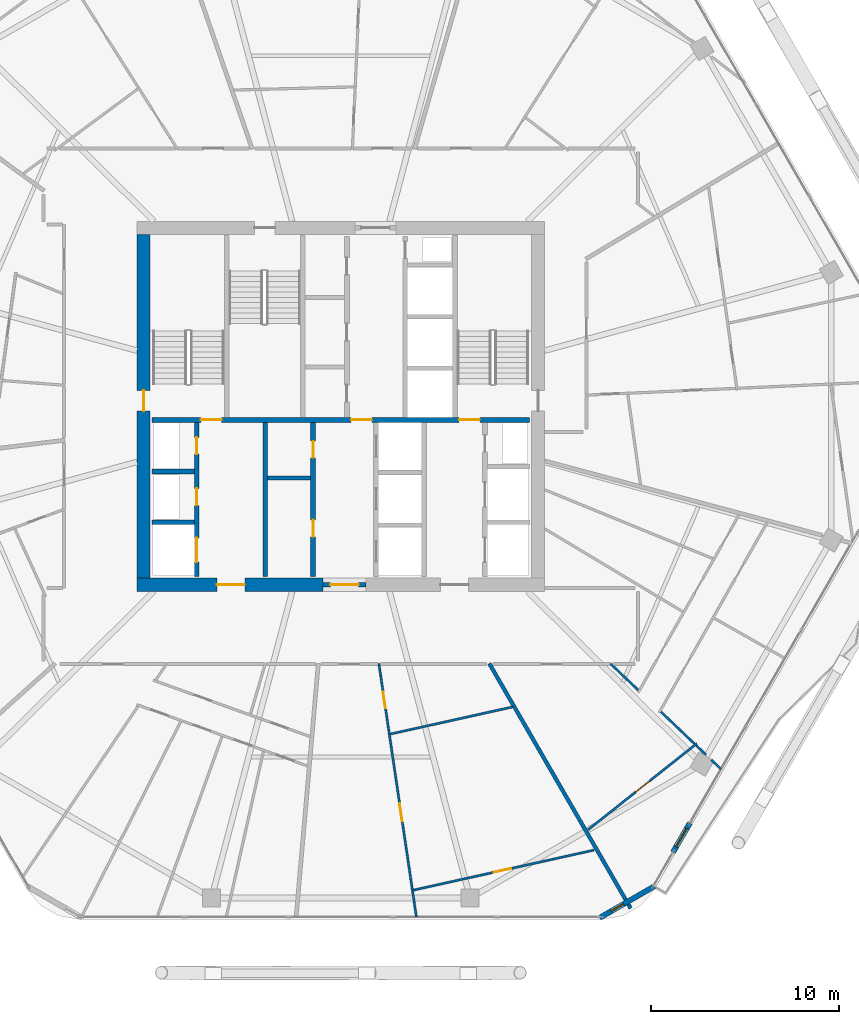
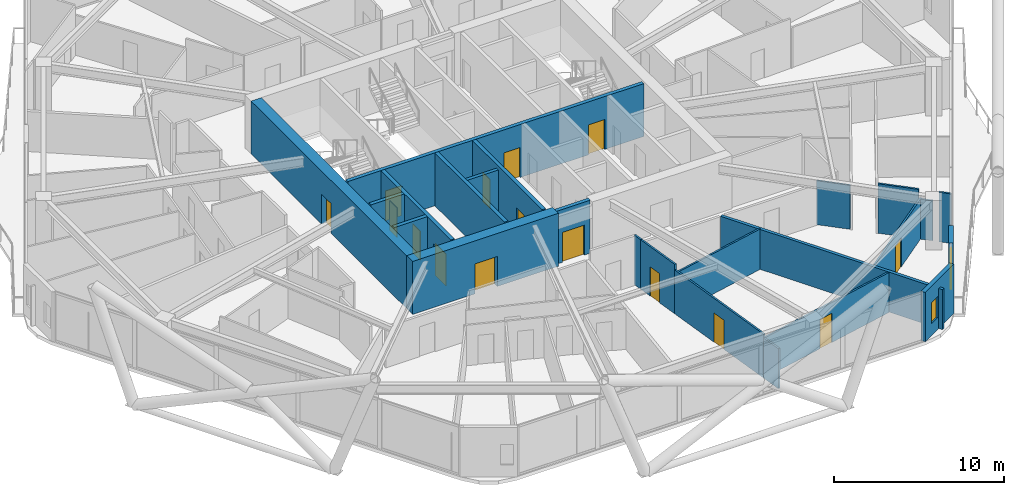
# One storey, part 21 of 28: 24 walls, 16 doors, 1 window, 17 openings.
"""IFC4 building model written with IfcOpenShell, lengths in metres."""

from ifc_helpers import new_model, si_unit, direction, frame, frame_2d, origin, place, context, subcontext, project, spatial, rectangle, extrude, material, layer, layer_set, type_object, element, fill, save


model = new_model("IFC4")

# Units and contexts
model_context = context("Model", 3, precision=1e-05, world=origin(), true_north=direction((0.0, 1.0)))
body_context = subcontext(model_context, "Body", "Model", "MODEL_VIEW")
ifc_project = project(units=[si_unit("LENGTHUNIT", "METRE"), si_unit("AREAUNIT", "SQUARE_METRE"), si_unit("VOLUMEUNIT", "CUBIC_METRE"), si_unit("PLANEANGLEUNIT", "RADIAN"), si_unit("MASSUNIT", "GRAM", prefix="KILO")], contexts=[model_context])

# Site, building, storey
site_placement = place(None, origin())
site = spatial("IfcSite", under=ifc_project, at=site_placement, CompositionType="ELEMENT")
building_placement = place(site_placement, origin())
building = spatial("IfcBuilding", under=site, at=building_placement, Name="Zuhravey Tower", CompositionType="ELEMENT")
storey_placement = place(building_placement, frame((0.0, 0.0, 199.800048828125)))
storey = spatial("IfcBuildingStorey", under=building, at=storey_placement, Name="L50", CompositionType="ELEMENT", Elevation=199.800048828125)

# Wall, opening, door
ifc_material_1 = material(Name="Concrete C60/75", Category="concrete")
ifc_layer_1 = layer(ifc_material_1, 0.699951171875)
ifc_layer_set_1 = layer_set([ifc_layer_1], Name="Concrete C60/75")
wall_type_1 = type_object("IfcWallType", Name="Core Shear Wall 700", PredefinedType="SHEAR", material=ifc_layer_set_1)
wall_1_placement = place(storey_placement, frame((25.14990234375, 22.5, 0.0), z_axis=(0.0, 0.0, 1.0), x_axis=(1.0, 0.0, 0.0)))
wall_1 = element("IfcWall", 1, at=wall_1_placement, inside=storey, type_object=wall_type_1, Name="L50 South-West Core Shear Wall CW70", PredefinedType="SHEAR", context=body_context, shape_type="SweptSolid", body=[
    extrude(rectangle(XDim=9.900146484375, YDim=0.699951171875, at=frame_2d((4.9501953125, 0.0))), origin(), (0.0, 0.0, 1.0), 3.800048828125),
])
opening_1_placement = place(wall_1_placement, frame((4.25, 0.0, 0.0)))
opening_1 = element("IfcOpeningElement", 2, at=opening_1_placement, cuts=wall_1, Name="Opening FFD1", PredefinedType="OPENING", context=body_context, shape_type="SweptSolid", body=[
    extrude(rectangle(XDim=1.5, YDim=2.14990234375, at=frame_2d((0.75, 1.074951171875))), frame((0.0, 0.362060546875, 0.0), z_axis=(0.0, -1.0, 0.0), x_axis=(1.0, 0.0, 0.0)), (0.0, 0.0, 1.0), 0.723876953125),
])
ifc_material_2 = material(Name="Galvanised fire-rated steel leaf", Category="steel")
door_type_1 = type_object("IfcDoorType", Name="Firefighting Lobby Double Door 1500x2150", OperationType="DOUBLE_DOOR_SINGLE_SWING", PredefinedType="DOOR", material=ifc_material_2)
door_1_placement = place(opening_1_placement, origin())
door_1 = element("IfcDoor", 3, at=door_1_placement, inside=storey, type_object=door_type_1, Name="L50 Firefighting Lobby West Door", OperationType="DOUBLE_DOOR_SINGLE_SWING", OverallHeight=2.14990234375, OverallWidth=1.5, PredefinedType="DOOR", context=body_context, shape_type="SweptSolid", body=[
    extrude(rectangle(XDim=1.5, YDim=2.14990234375, at=frame_2d((0.75, 1.074951171875))), frame((0.0, 0.02490234375, 0.0), z_axis=(0.0, -1.0, 0.0), x_axis=(1.0, 0.0, 0.0)), (0.0, 0.0, 1.0), 0.050048828125),
])
fill(opening_1, door_1)

wall_2_placement = place(storey_placement, frame((25.5, 22.85009765625, 0.0), z_axis=(0.0, 0.0, 1.0), x_axis=(0.0, 1.0, 0.0)))
wall_2 = element("IfcWall", 4, at=wall_2_placement, inside=storey, type_object=wall_type_1, Name="L50 West Core Shear Wall CW70", PredefinedType="SHEAR", context=body_context, shape_type="SweptSolid", body=[
    extrude(rectangle(XDim=18.2998046875, YDim=0.699951171875, at=frame_2d((9.14990234375, 0.0))), origin(), (0.0, 0.0, 1.0), 3.800048828125),
])
opening_2_placement = place(wall_2_placement, frame((8.89990234375, 0.0, 0.0)))
opening_2 = element("IfcOpeningElement", 5, at=opening_2_placement, cuts=wall_2, Name="Opening STD1", PredefinedType="OPENING", context=body_context, shape_type="SweptSolid", body=[
    extrude(rectangle(XDim=1.10009765625, YDim=2.14990234375, at=frame_2d((0.550048828125, 1.074951171875))), frame((0.0, 0.362060546875, 0.0), z_axis=(0.0, -1.0, 0.0), x_axis=(1.0, 0.0, 0.0)), (0.0, 0.0, 1.0), 0.723876953125),
])
door_type_2 = type_object("IfcDoorType", Name="Protected Stair Fire Door 1100x2150", OperationType="NOTDEFINED", PredefinedType="USERDEFINED", material=ifc_material_2)
door_2_placement = place(opening_2_placement, frame((1.10009765625, 0.0, 0.0), z_axis=(0.0, 0.0, 1.0), x_axis=(-1.0, 0.0, 0.0)))
door_2 = element("IfcDoor", 6, at=door_2_placement, inside=storey, type_object=door_type_2, Name="L50 Stair ST1 Door", ObjectType="EXITDOOR", OperationType="SINGLE_SWING_LEFT", OverallHeight=2.14990234375, OverallWidth=1.10009765625, PredefinedType="USERDEFINED", context=body_context, shape_type="SweptSolid", body=[
    extrude(rectangle(XDim=1.10009765625, YDim=2.14990234375, at=frame_2d((0.550048828125, 1.074951171875))), frame((0.0, 0.02490234375, 0.0), z_axis=(0.0, -1.0, 0.0), x_axis=(1.0, 0.0, 0.0)), (0.0, 0.0, 1.0), 0.050048828125),
])
fill(opening_2, door_2)

ifc_material_3 = material(Name="Precast concrete C40/50", Category="concrete")
ifc_layer_2 = layer(ifc_material_3, 0.280029296875)
ifc_layer_set_2 = layer_set([ifc_layer_2], Name="Precast concrete C40/50")
wall_type_2 = type_object("IfcWallType", Name="Crown Architectural Wall 280", PredefinedType="SOLIDWALL", material=ifc_layer_set_2)
wall_3_placement = place(storey_placement, frame((54.580810546875, 9.81689453125, 0.0), z_axis=(0.0, 0.0, 1.0), x_axis=(-0.499982180423, -0.866035691677, 0.0)))
wall_3 = element("IfcWall", 7, at=wall_3_placement, inside=storey, type_object=wall_type_2, Name="L50 Face 6 Facade Pier EW28-1", PredefinedType="SOLIDWALL", context=body_context, shape_type="SweptSolid", body=[
    extrude(rectangle(XDim=1.7900390625, YDim=0.280029296875, at=frame_2d((0.89501953125, 0.0))), origin(), (0.0, 0.0, 1.0), 3.550048828125),
])
opening_3_placement = place(wall_3_placement, frame((0.344970703125, 0.0, 0.0)))
opening_3 = element("IfcOpeningElement", 8, at=opening_3_placement, cuts=wall_3, Name="Opening BLD1", PredefinedType="OPENING", context=body_context, shape_type="SweptSolid", body=[
    extrude(rectangle(XDim=1.10009765625, YDim=2.199951171875, at=frame_2d((0.550048828125, 1.10009765625))), frame((0.0, 0.152099609375, 0.0), z_axis=(0.0, -1.0, 0.0), x_axis=(1.0, 0.0, 0.0)), (0.0, 0.0, 1.0), 0.303955078125),
])
ifc_material_4 = material(Name="Thermally broken aluminium and low-E glass", Category="aluminium")
door_type_3 = type_object("IfcDoorType", Name="Balcony & Sky-Tray Glazed Door 1100x2200", OperationType="NOTDEFINED", PredefinedType="DOOR", material=ifc_material_4)
door_3_placement = place(opening_3_placement, frame((1.10009765625, 0.0, 0.0), z_axis=(0.0, 0.0, 1.0), x_axis=(-1.0, 0.0, 0.0)))
door_3 = element("IfcDoor", 9, at=door_3_placement, inside=storey, type_object=door_type_3, Name="L50 Face 6 Wave Balcony Door", OperationType="SINGLE_SWING_LEFT", OverallHeight=2.199951171875, OverallWidth=1.10009765625, PredefinedType="DOOR", context=body_context, shape_type="SweptSolid", body=[
    extrude(rectangle(XDim=1.10009765625, YDim=2.199951171875, at=frame_2d((0.550048828125, 1.10009765625))), frame((0.0, 0.02490234375, 0.0), z_axis=(0.0, -1.0, 0.0), x_axis=(1.0, 0.0, 0.0)), (0.0, 0.0, 1.0), 0.050048828125),
])
fill(opening_3, door_3)

# Wall, opening, window
wall_4_placement = place(storey_placement, frame((52.693115234375, 6.451904296875, 0.0), z_axis=(0.0, 0.0, 1.0), x_axis=(-0.866020068361, -0.500009241111, 0.0)))
wall_4 = element("IfcWall", 10, at=wall_4_placement, inside=storey, type_object=wall_type_2, Name="L50 Rounded Corner Closure Wall EW28-02", PredefinedType="SOLIDWALL", context=body_context, shape_type="SweptSolid", body=[
    extrude(rectangle(XDim=3.365234375, YDim=0.280029296875, at=frame_2d((1.6826171875, 0.0))), origin(), (0.0, 0.0, 1.0), 3.550048828125),
])
opening_4_placement = place(wall_4_placement, frame((1.896240234375, 0.0, 0.85009765625)))
opening_4 = element("IfcOpeningElement", 11, at=opening_4_placement, cuts=wall_4, Name="Opening WN5", PredefinedType="OPENING", context=body_context, shape_type="SweptSolid", body=[
    extrude(rectangle(XDim=0.75, YDim=1.5, at=frame_2d((0.375, 0.75))), frame((0.0, 0.152099609375, 0.0), z_axis=(0.0, -1.0, 0.0), x_axis=(1.0, 0.0, 0.0)), (0.0, 0.0, 1.0), 0.303955078125),
])
ifc_material_5 = material(Name="Thermally broken aluminium and triple low-E glass", Category="aluminium")
window_type = type_object("IfcWindowType", Name="Residential Corner Casement Window 750x1500", PartitioningType="SINGLE_PANEL", PredefinedType="WINDOW", material=ifc_material_5)
window_placement = place(opening_4_placement, origin())
window = element("IfcWindow", 12, at=window_placement, inside=storey, type_object=window_type, Name="L50 Corner Casement Window WN5-02.1", OverallHeight=1.5, OverallWidth=0.75, PartitioningType="SINGLE_PANEL", PredefinedType="WINDOW", context=body_context, shape_type="SweptSolid", body=[
    extrude(rectangle(XDim=0.75, YDim=1.5, at=frame_2d((0.375, 0.75))), frame((0.0, 0.030029296875, 0.0), z_axis=(0.0, -1.0, 0.0), x_axis=(1.0, 0.0, 0.0)), (0.0, 0.0, 1.0), 0.06005859375),
])
fill(opening_4, window)

# Wall, opening, door
ifc_material_6 = material(Name="Concrete C50/60", Category="concrete")
ifc_layer_3 = layer(ifc_material_6, 0.25)
ifc_layer_set_3 = layer_set([ifc_layer_3], Name="Concrete C50/60")
wall_type_3 = type_object("IfcWallType", Name="Firefighting Shaft & Stair Wall 250", PredefinedType="SOLIDWALL", material=ifc_layer_set_3)
wall_5_placement = place(storey_placement, frame((35.06005859375, 22.5, 0.0), z_axis=(0.0, 0.0, 1.0), x_axis=(1.0, 0.0, 0.0)))
wall_5 = element("IfcWall", 13, at=wall_5_placement, inside=storey, type_object=wall_type_3, Name="L50 FW25 Shaft Wall 001", PredefinedType="SOLIDWALL", context=body_context, shape_type="SweptSolid", body=[
    extrude(rectangle(XDim=2.280029296875, YDim=0.25, at=frame_2d((1.14013671875, 0.0))), origin(), (0.0, 0.0, 1.0), 3.800048828125),
])
opening_5_placement = place(wall_5_placement, frame((0.389892578125, 0.0, 0.0)))
opening_5 = element("IfcOpeningElement", 14, at=opening_5_placement, cuts=wall_5, Name="Opening FFD1", PredefinedType="OPENING", context=body_context, shape_type="SweptSolid", body=[
    extrude(rectangle(XDim=1.5, YDim=2.14990234375, at=frame_2d((0.75, 1.074951171875))), frame((0.0, 0.136962890625, 0.0), z_axis=(0.0, -1.0, 0.0), x_axis=(1.0, 0.0, 0.0)), (0.0, 0.0, 1.0), 0.27392578125),
])
door_4_placement = place(opening_5_placement, frame((1.5, 0.0, 0.0), z_axis=(0.0, 0.0, 1.0), x_axis=(-1.0, 0.0, 0.0)))
door_4 = element("IfcDoor", 15, at=door_4_placement, inside=storey, type_object=door_type_1, Name="L50 South Lift Lobby Exit Door", OperationType="DOUBLE_DOOR_SINGLE_SWING", OverallHeight=2.14990234375, OverallWidth=1.5, PredefinedType="DOOR", context=body_context, shape_type="SweptSolid", body=[
    extrude(rectangle(XDim=1.5, YDim=2.14990234375, at=frame_2d((0.75, 1.074951171875))), frame((0.0, 0.02490234375, 0.0), z_axis=(0.0, -1.0, 0.0), x_axis=(1.0, 0.0, 0.0)), (0.0, 0.0, 1.0), 0.050048828125),
])
fill(opening_5, door_4)

# Wall, openings, doors
wall_6_placement = place(storey_placement, frame((25.949951171875, 31.27490234375, 0.0), z_axis=(0.0, 0.0, 1.0), x_axis=(1.0, 0.0, 0.0)))
wall_6 = element("IfcWall", 16, at=wall_6_placement, inside=storey, type_object=wall_type_3, Name="L50 FW25 Shaft Wall 003", PredefinedType="SOLIDWALL", context=body_context, shape_type="SweptSolid", body=[
    extrude(rectangle(XDim=20.10009765625, YDim=0.25, at=frame_2d((10.050048828125, 0.0))), origin(), (0.0, 0.0, 1.0), 3.800048828125),
])
opening_6_placement = place(wall_6_placement, frame((2.60009765625, 0.0, 0.0)))
opening_6 = element("IfcOpeningElement", 17, at=opening_6_placement, cuts=wall_6, Name="Opening STD1", PredefinedType="OPENING", context=body_context, shape_type="SweptSolid", body=[
    extrude(rectangle(XDim=1.10009765625, YDim=2.14990234375, at=frame_2d((0.550048828125, 1.074951171875))), frame((0.0, 0.136962890625, 0.0), z_axis=(0.0, -1.0, 0.0), x_axis=(1.0, 0.0, 0.0)), (0.0, 0.0, 1.0), 0.27392578125),
])
opening_7_placement = place(wall_6_placement, frame((10.60009765625, 0.0, 0.0)))
opening_7 = element("IfcOpeningElement", 18, at=opening_7_placement, cuts=wall_6, Name="Opening STD1", PredefinedType="OPENING", context=body_context, shape_type="SweptSolid", body=[
    extrude(rectangle(XDim=1.10009765625, YDim=2.14990234375, at=frame_2d((0.550048828125, 1.074951171875))), frame((0.0, 0.136962890625, 0.0), z_axis=(0.0, -1.0, 0.0), x_axis=(1.0, 0.0, 0.0)), (0.0, 0.0, 1.0), 0.27392578125),
])
opening_8_placement = place(wall_6_placement, frame((16.35009765625, 0.0, 0.0)))
opening_8 = element("IfcOpeningElement", 19, at=opening_8_placement, cuts=wall_6, Name="Opening STD1", PredefinedType="OPENING", context=body_context, shape_type="SweptSolid", body=[
    extrude(rectangle(XDim=1.10009765625, YDim=2.14990234375, at=frame_2d((0.550048828125, 1.074951171875))), frame((0.0, 0.136962890625, 0.0), z_axis=(0.0, -1.0, 0.0), x_axis=(1.0, 0.0, 0.0)), (0.0, 0.0, 1.0), 0.27392578125),
])
door_5_placement = place(opening_6_placement, origin())
door_5 = element("IfcDoor", 20, at=door_5_placement, inside=storey, type_object=door_type_2, Name="L50 FFL-W to ST1 Door", ObjectType="EXITDOOR", OperationType="SINGLE_SWING_RIGHT", OverallHeight=2.14990234375, OverallWidth=1.10009765625, PredefinedType="USERDEFINED", context=body_context, shape_type="SweptSolid", body=[
    extrude(rectangle(XDim=1.10009765625, YDim=2.14990234375, at=frame_2d((0.550048828125, 1.074951171875))), frame((0.0, 0.02490234375, 0.0), z_axis=(0.0, -1.0, 0.0), x_axis=(1.0, 0.0, 0.0)), (0.0, 0.0, 1.0), 0.050048828125),
])
fill(opening_6, door_5)
door_6_placement = place(opening_7_placement, origin())
door_6 = element("IfcDoor", 21, at=door_6_placement, inside=storey, type_object=door_type_2, Name="L50 Core Lobby Link Door", ObjectType="EXITDOOR", OperationType="SINGLE_SWING_LEFT", OverallHeight=2.14990234375, OverallWidth=1.10009765625, PredefinedType="USERDEFINED", context=body_context, shape_type="SweptSolid", body=[
    extrude(rectangle(XDim=1.10009765625, YDim=2.14990234375, at=frame_2d((0.550048828125, 1.074951171875))), frame((0.0, 0.02490234375, 0.0), z_axis=(0.0, -1.0, 0.0), x_axis=(1.0, 0.0, 0.0)), (0.0, 0.0, 1.0), 0.050048828125),
])
fill(opening_7, door_6)
door_7_placement = place(opening_8_placement, origin())
door_7 = element("IfcDoor", 22, at=door_7_placement, inside=storey, type_object=door_type_2, Name="L50 FFL-E to ST2 Door", ObjectType="EXITDOOR", OperationType="SINGLE_SWING_RIGHT", OverallHeight=2.14990234375, OverallWidth=1.10009765625, PredefinedType="USERDEFINED", context=body_context, shape_type="SweptSolid", body=[
    extrude(rectangle(XDim=1.10009765625, YDim=2.14990234375, at=frame_2d((0.550048828125, 1.074951171875))), frame((0.0, 0.02490234375, 0.0), z_axis=(0.0, -1.0, 0.0), x_axis=(1.0, 0.0, 0.0)), (0.0, 0.0, 1.0), 0.050048828125),
])
fill(opening_8, door_7)

# Walls
for number, where, z_axis, x_axis, name in (
    (23, (25.949951171875, 25.824951171875, 0.0), (0.0, 0.0, 1.0), (1.0, 0.0, 0.0), "L50 FW25 Shaft Wall 009"),
    (24, (25.949951171875, 28.52490234375, 0.0), (0.0, 0.0, 1.0), (1.0, 0.0, 0.0), "L50 FW25 Shaft Wall 010"),
):
    element("IfcWall", number, at=place(storey_placement, frame(where, z_axis=z_axis, x_axis=x_axis)), inside=storey, type_object=wall_type_3, Name=name, PredefinedType="SOLIDWALL", context=body_context, shape_type="SweptSolid", body=[
        extrude(rectangle(XDim=2.25, YDim=0.25, at=frame_2d((1.125, 0.0))), origin(), (0.0, 0.0, 1.0), 3.800048828125),
    ])

# Wall, openings, doors
wall_7_placement = place(storey_placement, frame((28.324951171875, 22.949951171875, 0.0), z_axis=(0.0, 0.0, 1.0), x_axis=(0.0, 1.0, 0.0)))
wall_7 = element("IfcWall", 25, at=wall_7_placement, inside=storey, type_object=wall_type_3, Name="L50 FW25 Shaft Wall 011", PredefinedType="SOLIDWALL", context=body_context, shape_type="SweptSolid", body=[
    extrude(rectangle(XDim=8.199951171875, YDim=0.25, at=frame_2d((4.10009765625, 0.0))), origin(), (0.0, 0.0, 1.0), 3.800048828125),
])
opening_9_placement = place(wall_7_placement, frame((0.75, 0.0, 0.0)))
opening_9 = element("IfcOpeningElement", 26, at=opening_9_placement, cuts=wall_7, Name="Opening LD2", PredefinedType="OPENING", context=body_context, shape_type="SweptSolid", body=[
    extrude(rectangle(XDim=1.300048828125, YDim=2.300048828125, at=frame_2d((0.64990234375, 1.14990234375))), frame((0.0, 0.136962890625, 0.0), z_axis=(0.0, -1.0, 0.0), x_axis=(1.0, 0.0, 0.0)), (0.0, 0.0, 1.0), 0.27392578125),
])
opening_10_placement = place(wall_7_placement, frame((3.780029296875, 0.0, 0.0)))
opening_10 = element("IfcOpeningElement", 27, at=opening_10_placement, cuts=wall_7, Name="Opening RSD1", PredefinedType="OPENING", context=body_context, shape_type="SweptSolid", body=[
    extrude(rectangle(XDim=0.89990234375, YDim=2.10009765625, at=frame_2d((0.449951171875, 1.050048828125))), frame((0.0, 0.136962890625, 0.0), z_axis=(0.0, -1.0, 0.0), x_axis=(1.0, 0.0, 0.0)), (0.0, 0.0, 1.0), 0.27392578125),
])
opening_11_placement = place(wall_7_placement, frame((6.5, 0.0, 0.0)))
opening_11 = element("IfcOpeningElement", 28, at=opening_11_placement, cuts=wall_7, Name="Opening RSD1", PredefinedType="OPENING", context=body_context, shape_type="SweptSolid", body=[
    extrude(rectangle(XDim=0.89990234375, YDim=2.10009765625, at=frame_2d((0.449951171875, 1.050048828125))), frame((0.0, 0.136962890625, 0.0), z_axis=(0.0, -1.0, 0.0), x_axis=(1.0, 0.0, 0.0)), (0.0, 0.0, 1.0), 0.27392578125),
])
ifc_material_7 = material(Name="Brushed stainless steel", Category="steel")
door_type_4 = type_object("IfcDoorType", Name="Freight & Stretcher Lift Sliding Door 1300x2300", OperationType="DOUBLE_DOOR_SLIDING", PredefinedType="DOOR", material=ifc_material_7)
door_8_placement = place(opening_9_placement, frame((1.300048828125, 0.0, 0.0), z_axis=(0.0, 0.0, 1.0), x_axis=(-1.0, 0.0, 0.0)))
door_8 = element("IfcDoor", 29, at=door_8_placement, inside=storey, type_object=door_type_4, Name="L50 Lift FF1 Landing Door", OperationType="DOUBLE_DOOR_SLIDING", OverallHeight=2.300048828125, OverallWidth=1.300048828125, PredefinedType="DOOR", context=body_context, shape_type="SweptSolid", body=[
    extrude(rectangle(XDim=1.300048828125, YDim=2.300048828125, at=frame_2d((0.64990234375, 1.14990234375))), frame((0.0, 0.02490234375, 0.0), z_axis=(0.0, -1.0, 0.0), x_axis=(1.0, 0.0, 0.0)), (0.0, 0.0, 1.0), 0.050048828125),
])
fill(opening_9, door_8)
ifc_material_8 = material(Name="Galvanised fire-rated steel access leaf", Category="steel")
door_type_5 = type_object("IfcDoorType", Name="Riser & Shaft Access Fire Door 900x2100", OperationType="NOTDEFINED", PredefinedType="DOOR", material=ifc_material_8)
door_9_placement = place(opening_10_placement, frame((0.89990234375, 0.0, 0.0), z_axis=(0.0, 0.0, 1.0), x_axis=(-1.0, 0.0, 0.0)))
door_9 = element("IfcDoor", 30, at=door_9_placement, inside=storey, type_object=door_type_5, Name="L50 Electrical Riser Door", OperationType="SINGLE_SWING_LEFT", OverallHeight=2.10009765625, OverallWidth=0.89990234375, PredefinedType="DOOR", context=body_context, shape_type="SweptSolid", body=[
    extrude(rectangle(XDim=0.89990234375, YDim=2.10009765625, at=frame_2d((0.449951171875, 1.050048828125))), frame((0.0, 0.02490234375, 0.0), z_axis=(0.0, -1.0, 0.0), x_axis=(1.0, 0.0, 0.0)), (0.0, 0.0, 1.0), 0.050048828125),
])
fill(opening_10, door_9)
door_10_placement = place(opening_11_placement, frame((0.89990234375, 0.0, 0.0), z_axis=(0.0, 0.0, 1.0), x_axis=(-1.0, 0.0, 0.0)))
door_10 = element("IfcDoor", 31, at=door_10_placement, inside=storey, type_object=door_type_5, Name="L50 Smoke Shaft Access Door", OperationType="SINGLE_SWING_RIGHT", OverallHeight=2.10009765625, OverallWidth=0.89990234375, PredefinedType="DOOR", context=body_context, shape_type="SweptSolid", body=[
    extrude(rectangle(XDim=0.89990234375, YDim=2.10009765625, at=frame_2d((0.449951171875, 1.050048828125))), frame((0.0, 0.02490234375, 0.0), z_axis=(0.0, -1.0, 0.0), x_axis=(1.0, 0.0, 0.0)), (0.0, 0.0, 1.0), 0.050048828125),
])
fill(opening_11, door_10)

# Wall
wall_8_placement = place(storey_placement, frame((31.97509765625, 22.949951171875, 0.0), z_axis=(0.0, 0.0, 1.0), x_axis=(0.0, 1.0, 0.0)))
element("IfcWall", 32, at=wall_8_placement, inside=storey, type_object=wall_type_3, Name="L50 FW25 Shaft Wall 012", PredefinedType="SOLIDWALL", context=body_context, shape_type="SweptSolid", body=[
    extrude(rectangle(XDim=8.199951171875, YDim=0.25, at=frame_2d((4.10009765625, 0.0))), origin(), (0.0, 0.0, 1.0), 3.800048828125),
])

# Wall, openings, doors
wall_9_placement = place(storey_placement, frame((34.52490234375, 22.949951171875, 0.0), z_axis=(0.0, 0.0, 1.0), x_axis=(0.0, 1.0, 0.0)))
wall_9 = element("IfcWall", 33, at=wall_9_placement, inside=storey, type_object=wall_type_3, Name="L50 FW25 Shaft Wall 013", PredefinedType="SOLIDWALL", context=body_context, shape_type="SweptSolid", body=[
    extrude(rectangle(XDim=8.199951171875, YDim=0.25, at=frame_2d((4.10009765625, 0.0))), origin(), (0.0, 0.0, 1.0), 3.800048828125),
])
opening_12_placement = place(wall_9_placement, frame((2.10009765625, 0.0, 0.0)))
opening_12 = element("IfcOpeningElement", 34, at=opening_12_placement, cuts=wall_9, Name="Opening RSD1", PredefinedType="OPENING", context=body_context, shape_type="SweptSolid", body=[
    extrude(rectangle(XDim=0.89990234375, YDim=2.10009765625, at=frame_2d((0.449951171875, 1.050048828125))), frame((0.0, 0.136962890625, 0.0), z_axis=(0.0, -1.0, 0.0), x_axis=(1.0, 0.0, 0.0)), (0.0, 0.0, 1.0), 0.27392578125),
])
opening_13_placement = place(wall_9_placement, frame((6.300048828125, 0.0, 0.0)))
opening_13 = element("IfcOpeningElement", 35, at=opening_13_placement, cuts=wall_9, Name="Opening RSD1", PredefinedType="OPENING", context=body_context, shape_type="SweptSolid", body=[
    extrude(rectangle(XDim=0.89990234375, YDim=2.10009765625, at=frame_2d((0.449951171875, 1.050048828125))), frame((0.0, 0.136962890625, 0.0), z_axis=(0.0, -1.0, 0.0), x_axis=(1.0, 0.0, 0.0)), (0.0, 0.0, 1.0), 0.27392578125),
])
door_11_placement = place(opening_12_placement, origin())
door_11 = element("IfcDoor", 36, at=door_11_placement, inside=storey, type_object=door_type_5, Name="L50 Housekeeping Store Door", OperationType="SINGLE_SWING_LEFT", OverallHeight=2.10009765625, OverallWidth=0.89990234375, PredefinedType="DOOR", context=body_context, shape_type="SweptSolid", body=[
    extrude(rectangle(XDim=0.89990234375, YDim=2.10009765625, at=frame_2d((0.449951171875, 1.050048828125))), frame((0.0, 0.02490234375, 0.0), z_axis=(0.0, -1.0, 0.0), x_axis=(1.0, 0.0, 0.0)), (0.0, 0.0, 1.0), 0.050048828125),
])
fill(opening_12, door_11)
door_12_placement = place(opening_13_placement, origin())
door_12 = element("IfcDoor", 37, at=door_12_placement, inside=storey, type_object=door_type_5, Name="L50 Comms Closet Door", OperationType="SINGLE_SWING_RIGHT", OverallHeight=2.10009765625, OverallWidth=0.89990234375, PredefinedType="DOOR", context=body_context, shape_type="SweptSolid", body=[
    extrude(rectangle(XDim=0.89990234375, YDim=2.10009765625, at=frame_2d((0.449951171875, 1.050048828125))), frame((0.0, 0.02490234375, 0.0), z_axis=(0.0, -1.0, 0.0), x_axis=(1.0, 0.0, 0.0)), (0.0, 0.0, 1.0), 0.050048828125),
])
fill(opening_13, door_12)

# Walls
ifc_material_9 = material(Name="Gypsum double-stud party assembly")
ifc_layer_4 = layer(ifc_material_9, 0.199951171875)
ifc_layer_set_4 = layer_set([ifc_layer_4], Name="Gypsum double-stud party assembly")
wall_type_4 = type_object("IfcWallType", Name="Inter-Tenancy Party Wall 200", PredefinedType="PARTITIONING", material=ifc_layer_set_4)
wall_10_placement = place(storey_placement, frame((43.90380859375, 18.31005859375, 0.0), z_axis=(0.0, 0.0, 1.0), x_axis=(0.500007038605, -0.866021340006, 0.0)))
element("IfcWall", 38, at=wall_10_placement, inside=storey, type_object=wall_type_4, Name="L50 IW20 Partition 105", PredefinedType="PARTITIONING", context=body_context, shape_type="SweptSolid", body=[
    extrude(rectangle(XDim=15.050048828125, YDim=0.199951171875, at=frame_2d((7.52490234375, 0.0))), origin(), (0.0, 0.0, 1.0), 2.869873046875),
])
ifc_material_10 = material(Name="Gypsum acoustic stud assembly")
ifc_layer_5 = layer(ifc_material_10, 0.219970703125)
ifc_layer_set_5 = layer_set([ifc_layer_5], Name="Gypsum acoustic stud assembly")
wall_type_5 = type_object("IfcWallType", Name="School Acoustic Compartment Wall 220", PredefinedType="PARTITIONING", material=ifc_layer_set_5)
wall_11_placement = place(storey_placement, frame((32.10791015625, 28.175048828125, 0.0), z_axis=(0.0, 0.0, 1.0), x_axis=(1.0, 0.0, 0.0)))
element("IfcWall", 39, at=wall_11_placement, inside=storey, type_object=wall_type_5, Name="L50 IW22 Partition 062", PredefinedType="PARTITIONING", context=body_context, shape_type="SweptSolid", body=[
    extrude(rectangle(XDim=2.2841796875, YDim=0.219970703125, at=frame_2d((1.14208984375, 0.0))), origin(), (0.0, 0.0, 1.0), 3.550048828125),
])

# Wall, opening, door
ifc_material_11 = material(Name="Gypsum metal-stud partition")
ifc_layer_6 = layer(ifc_material_11, 0.1201171875)
ifc_layer_set_6 = layer_set([ifc_layer_6], Name="Gypsum metal-stud partition")
wall_type_6 = type_object("IfcWallType", Name="Unit Internal Partition 120", PredefinedType="PARTITIONING", material=ifc_layer_set_6)
wall_12_placement = place(storey_placement, frame((38.11669921875, 17.699951171875, 0.0), z_axis=(0.0, 0.0, 1.0), x_axis=(0.146444162785, -0.989218937944, 0.0)))
wall_12 = element("IfcWall", 40, at=wall_12_placement, inside=storey, type_object=wall_type_6, Name="L50 IW12 Partition 043", PredefinedType="PARTITIONING", context=body_context, shape_type="SweptSolid", body=[
    extrude(rectangle(XDim=3.217529296875, YDim=0.1201171875, at=frame_2d((1.60888671875, 0.0))), origin(), (0.0, 0.0, 1.0), 3.550048828125),
])
opening_14_placement = place(wall_12_placement, frame((0.9013671875, 0.0, 0.0)))
opening_14 = element("IfcOpeningElement", 41, at=opening_14_placement, cuts=wall_12, Name="Opening WCD1", PredefinedType="OPENING", context=body_context, shape_type="SweptSolid", body=[
    extrude(rectangle(XDim=0.89990234375, YDim=2.10009765625, at=frame_2d((0.449951171875, 1.050048828125))), frame((0.0, 0.072021484375, 0.0), z_axis=(0.0, -1.0, 0.0), x_axis=(1.0, 0.0, 0.0)), (0.0, 0.0, 1.0), 0.14404296875),
])
ifc_material_12 = material(Name="Moisture-resistant timber leaf", Category="wood")
door_type_6 = type_object("IfcDoorType", Name="Bathroom & WC Internal Door 900x2100", OperationType="NOTDEFINED", PredefinedType="DOOR", material=ifc_material_12)
door_13_placement = place(opening_14_placement, origin())
door_13 = element("IfcDoor", 42, at=door_13_placement, inside=storey, type_object=door_type_6, Name="Apartment L50-07 Bathroom Door", OperationType="SINGLE_SWING_LEFT", OverallHeight=2.10009765625, OverallWidth=0.89990234375, PredefinedType="DOOR", context=body_context, shape_type="SweptSolid", body=[
    extrude(rectangle(XDim=0.89990234375, YDim=2.10009765625, at=frame_2d((0.449951171875, 1.050048828125))), frame((0.0, 0.02490234375, 0.0), z_axis=(0.0, -1.0, 0.0), x_axis=(1.0, 0.0, 0.0)), (0.0, 0.0, 1.0), 0.050048828125),
])
fill(opening_14, door_13)

wall_13_placement = place(storey_placement, frame((38.587890625, 14.51708984375, 0.0), z_axis=(0.0, 0.0, 1.0), x_axis=(0.146416974586, -0.989222962508, 0.0)))
wall_13 = element("IfcWall", 43, at=wall_13_placement, inside=storey, type_object=wall_type_6, Name="L50 IW12 Partition 044", PredefinedType="PARTITIONING", context=body_context, shape_type="SweptSolid", body=[
    extrude(rectangle(XDim=8.39892578125, YDim=0.1201171875, at=frame_2d((4.199462890625, 0.0))), origin(), (0.0, 0.0, 1.0), 3.14990234375),
])
opening_15_placement = place(wall_13_placement, frame((3.699462890625, 0.0, 0.0)))
opening_15 = element("IfcOpeningElement", 44, at=opening_15_placement, cuts=wall_13, Name="Opening IND1", PredefinedType="OPENING", context=body_context, shape_type="SweptSolid", body=[
    extrude(rectangle(XDim=0.949951171875, YDim=2.10009765625, at=frame_2d((0.47509765625, 1.050048828125))), frame((0.0, 0.072021484375, 0.0), z_axis=(0.0, -1.0, 0.0), x_axis=(1.0, 0.0, 0.0)), (0.0, 0.0, 1.0), 0.14404296875),
])
ifc_material_13 = material(Name="Painted engineered timber leaf", Category="wood")
door_type_7 = type_object("IfcDoorType", Name="Internal Room & Bedroom Door 950x2100", OperationType="NOTDEFINED", PredefinedType="DOOR", material=ifc_material_13)
door_14_placement = place(opening_15_placement, origin())
door_14 = element("IfcDoor", 45, at=door_14_placement, inside=storey, type_object=door_type_7, Name="Apartment L50-07 Home Office Door", OperationType="SINGLE_SWING_RIGHT", OverallHeight=2.10009765625, OverallWidth=0.949951171875, PredefinedType="DOOR", context=body_context, shape_type="SweptSolid", body=[
    extrude(rectangle(XDim=0.949951171875, YDim=2.10009765625, at=frame_2d((0.47509765625, 1.050048828125))), frame((0.0, 0.02490234375, 0.0), z_axis=(0.0, -1.0, 0.0), x_axis=(1.0, 0.0, 0.0)), (0.0, 0.0, 1.0), 0.050048828125),
])
fill(opening_15, door_14)

wall_14_placement = place(storey_placement, frame((39.880615234375, 6.248046875, 0.0), z_axis=(0.0, 0.0, 1.0), x_axis=(0.976292102638, 0.216457225167, 0.0)))
wall_14 = element("IfcWall", 46, at=wall_14_placement, inside=storey, type_object=wall_type_6, Name="L50 IW12 Partition 045", PredefinedType="PARTITIONING", context=body_context, shape_type="SweptSolid", body=[
    extrude(rectangle(XDim=9.8330078125, YDim=0.1201171875, at=frame_2d((4.91650390625, 0.0))), origin(), (0.0, 0.0, 1.0), 2.869873046875),
])
opening_16_placement = place(wall_14_placement, frame((4.357421875, 0.0, 0.0)))
opening_16 = element("IfcOpeningElement", 47, at=opening_16_placement, cuts=wall_14, Name="Opening IND1", PredefinedType="OPENING", context=body_context, shape_type="SweptSolid", body=[
    extrude(rectangle(XDim=0.949951171875, YDim=2.10009765625, at=frame_2d((0.47509765625, 1.050048828125))), frame((0.0, 0.072021484375, 0.0), z_axis=(0.0, -1.0, 0.0), x_axis=(1.0, 0.0, 0.0)), (0.0, 0.0, 1.0), 0.14404296875),
])
door_15_placement = place(opening_16_placement, frame((0.949951171875, 0.0, 0.0), z_axis=(0.0, 0.0, 1.0), x_axis=(-1.0, 0.0, 0.0)))
door_15 = element("IfcDoor", 48, at=door_15_placement, inside=storey, type_object=door_type_7, Name="Apartment L50-07 Bedroom 1 Door", OperationType="SINGLE_SWING_LEFT", OverallHeight=2.10009765625, OverallWidth=0.949951171875, PredefinedType="DOOR", context=body_context, shape_type="SweptSolid", body=[
    extrude(rectangle(XDim=0.949951171875, YDim=2.10009765625, at=frame_2d((0.47509765625, 1.050048828125))), frame((0.0, 0.02490234375, 0.0), z_axis=(0.0, -1.0, 0.0), x_axis=(1.0, 0.0, 0.0)), (0.0, 0.0, 1.0), 0.050048828125),
])
fill(opening_16, door_15)

wall_15_placement = place(storey_placement, frame((49.162109375, 9.4580078125, 0.0), z_axis=(0.0, 0.0, 1.0), x_axis=(0.783468844614, 0.621431065782, 0.0)))
wall_15 = element("IfcWall", 49, at=wall_15_placement, inside=storey, type_object=wall_type_6, Name="L50 IW12 Partition 047", PredefinedType="PARTITIONING", context=body_context, shape_type="SweptSolid", body=[
    extrude(rectangle(XDim=7.391845703125, YDim=0.1201171875, at=frame_2d((3.69580078125, 0.0))), origin(), (0.0, 0.0, 1.0), 2.869873046875),
])
opening_17_placement = place(wall_15_placement, frame((3.220703125, 0.0, 0.0)))
opening_17 = element("IfcOpeningElement", 50, at=opening_17_placement, cuts=wall_15, Name="Opening IND1", PredefinedType="OPENING", context=body_context, shape_type="SweptSolid", body=[
    extrude(rectangle(XDim=0.949951171875, YDim=2.10009765625, at=frame_2d((0.47509765625, 1.050048828125))), frame((0.0, 0.072021484375, 0.0), z_axis=(0.0, -1.0, 0.0), x_axis=(1.0, 0.0, 0.0)), (0.0, 0.0, 1.0), 0.14404296875),
])
door_16_placement = place(opening_17_placement, frame((0.949951171875, 0.0, 0.0), z_axis=(0.0, 0.0, 1.0), x_axis=(-1.0, 0.0, 0.0)))
door_16 = element("IfcDoor", 51, at=door_16_placement, inside=storey, type_object=door_type_7, Name="Apartment L50-08 Family Study Door", OperationType="SINGLE_SWING_LEFT", OverallHeight=2.10009765625, OverallWidth=0.949951171875, PredefinedType="DOOR", context=body_context, shape_type="SweptSolid", body=[
    extrude(rectangle(XDim=0.949951171875, YDim=2.10009765625, at=frame_2d((0.47509765625, 1.050048828125))), frame((0.0, 0.02490234375, 0.0), z_axis=(0.0, -1.0, 0.0), x_axis=(1.0, 0.0, 0.0)), (0.0, 0.0, 1.0), 0.050048828125),
])
fill(opening_17, door_16)

# Walls
wall_16_placement = place(storey_placement, frame((38.025634765625, 18.314697265625, 0.0), z_axis=(0.0, 0.0, 1.0), x_axis=(0.146534423424, -0.989205571533, 0.0)))
element("IfcWall", 52, at=wall_16_placement, inside=storey, type_object=wall_type_6, Name="L50 IW12 Partition 102", PredefinedType="PARTITIONING", context=body_context, shape_type="SweptSolid", body=[
    extrude(rectangle(XDim=0.621337890625, YDim=0.1201171875, at=frame_2d((0.310546875, 0.0))), origin(), (0.0, 0.0, 1.0), 3.550048828125),
])
wall_17_placement = place(storey_placement, frame((39.817626953125, 6.208740234375, 0.0), z_axis=(0.0, 0.0, 1.0), x_axis=(0.146454662443, -0.989217383515, 0.0)))
element("IfcWall", 53, at=wall_17_placement, inside=storey, type_object=wall_type_6, Name="L50 IW12 Partition 103", PredefinedType="PARTITIONING", context=body_context, shape_type="SweptSolid", body=[
    extrude(rectangle(XDim=1.411865234375, YDim=0.1201171875, at=frame_2d((0.7060546875, 0.0))), origin(), (0.0, 0.0, 1.0), 2.869873046875),
])
wall_18_placement = place(storey_placement, frame((38.65087890625, 14.556640625, 0.0), z_axis=(0.0, 0.0, 1.0), x_axis=(0.976292815714, 0.21645400894, 0.0)))
element("IfcWall", 54, at=wall_18_placement, inside=storey, type_object=wall_type_6, Name="L50 IW12 Partition 104", PredefinedType="PARTITIONING", context=body_context, shape_type="SweptSolid", body=[
    extrude(rectangle(XDim=6.673828125, YDim=0.1201171875, at=frame_2d((3.3369140625, 0.0))), origin(), (0.0, 0.0, 1.0), 2.89990234375),
])
wall_19_placement = place(storey_placement, frame((50.35888671875, 18.297607421875, 0.0), z_axis=(0.0, 0.0, 1.0), x_axis=(0.723451106681, -0.690375619675, 0.0)))
element("IfcWall", 55, at=wall_19_placement, inside=storey, type_object=wall_type_6, Name="L50 IW12 Partition 109", PredefinedType="PARTITIONING", context=body_context, shape_type="SweptSolid", body=[
    extrude(rectangle(XDim=2.02978515625, YDim=0.1201171875, at=frame_2d((1.014892578125, 0.0))), origin(), (0.0, 0.0, 1.0), 3.14990234375),
])
wall_20_placement = place(storey_placement, frame((53.047607421875, 15.731689453125, 0.0), z_axis=(0.0, 0.0, 1.0), x_axis=(0.723414212857, -0.690414278992, 0.0)))
element("IfcWall", 56, at=wall_20_placement, inside=storey, type_object=wall_type_6, Name="L50 IW12 Partition 110", PredefinedType="PARTITIONING", context=body_context, shape_type="SweptSolid", body=[
    extrude(rectangle(XDim=2.456298828125, YDim=0.1201171875, at=frame_2d((1.22802734375, 0.0))), origin(), (0.0, 0.0, 1.0), 3.550048828125),
])
wall_21_placement = place(storey_placement, frame((54.923828125, 13.941162109375, 0.0), z_axis=(0.0, 0.0, 1.0), x_axis=(0.723503085089, -0.690321146907, 0.0)))
element("IfcWall", 57, at=wall_21_placement, inside=storey, type_object=wall_type_6, Name="L50 IW12 Partition 111", PredefinedType="PARTITIONING", context=body_context, shape_type="SweptSolid", body=[
    extrude(rectangle(XDim=0.713623046875, YDim=0.1201171875, at=frame_2d((0.35693359375, 0.0))), origin(), (0.0, 0.0, 1.0), 2.869873046875),
])
wall_22_placement = place(storey_placement, frame((55.720458984375, 13.180908203125, 0.0), z_axis=(0.0, 0.0, 1.0), x_axis=(0.723584936245, -0.690235351195, 0.0)))
element("IfcWall", 58, at=wall_22_placement, inside=storey, type_object=wall_type_6, Name="L50 IW12 Partition 112", PredefinedType="PARTITIONING", context=body_context, shape_type="SweptSolid", body=[
    extrude(rectangle(XDim=0.724853515625, YDim=0.1201171875, at=frame_2d((0.3623046875, 0.0))), origin(), (0.0, 0.0, 1.0), 3.550048828125),
])

save(model, "model.ifc")
